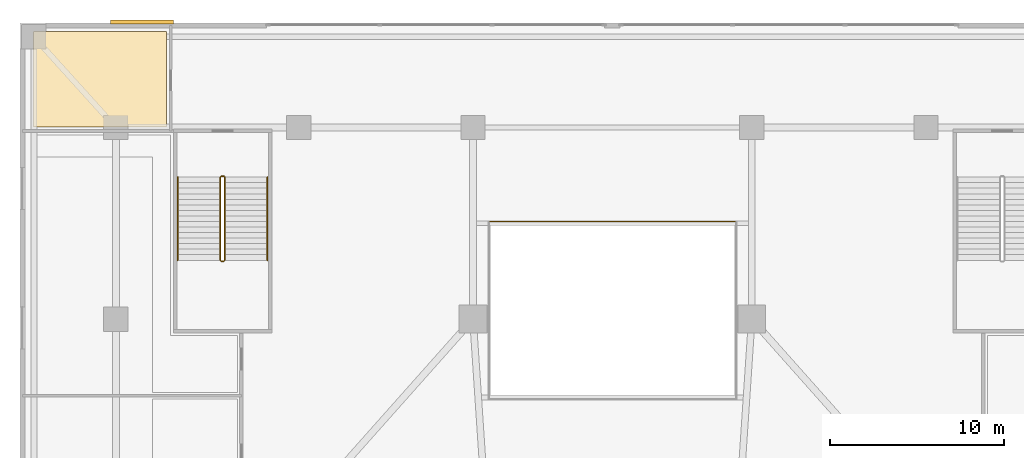
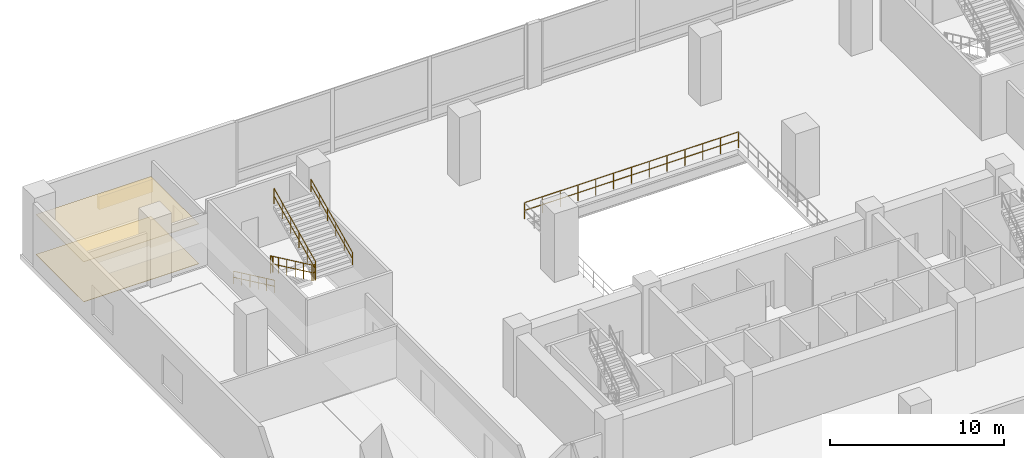
# One storey, part 13 of 15: 7 railings, 2 coverings, 1 shading device.
"""IFC4 building model written with IfcOpenShell, lengths in metres."""

from ifc_helpers import new_model, si_unit, direction, frame, origin, origin_2d, place, context, subcontext, project, spatial, polyline, rectangle, circle, outline, extrude, material, layer, layer_set, type_object, element, save


model = new_model("IFC4")

# Units and contexts
model_context = context("Model", 3, precision=1e-05, world=origin(), true_north=direction((0.0, 1.0)))
body_context = subcontext(model_context, "Body", "Model", "MODEL_VIEW")
ifc_project = project(units=[si_unit("LENGTHUNIT", "METRE"), si_unit("AREAUNIT", "SQUARE_METRE"), si_unit("VOLUMEUNIT", "CUBIC_METRE"), si_unit("PLANEANGLEUNIT", "RADIAN"), si_unit("MASSUNIT", "GRAM", prefix="KILO")], contexts=[model_context])

# Site, building, storey
site_placement = place(None, origin())
site = spatial("IfcSite", under=ifc_project, at=site_placement, CompositionType="ELEMENT")
building_placement = place(site_placement, origin())
building = spatial("IfcBuilding", under=site, at=building_placement, Name="Solmavex Isthmus Hotel", CompositionType="ELEMENT")
storey_placement = place(building_placement, frame((0.0, 0.0, 11.39990234375)))
storey = spatial("IfcBuildingStorey", under=building, at=storey_placement, Name="L03", CompositionType="ELEMENT", Elevation=11.39990234375)

# Coverings
ifc_material_1 = material(Name="Gypsum plasterboard lining", Category="gypsum")
ifc_layer_1 = layer(ifc_material_1, 0.030029296875)
ifc_layer_set_1 = layer_set([ifc_layer_1], Name="Gypsum plasterboard lining")
covering_type_1 = type_object("IfcCoveringType", Name="COV-CEIL-GYP", PredefinedType="CEILING", material=ifc_layer_set_1)
covering_1_placement = place(storey_placement, frame((0.0, 0.0, 2.800048828125)))
element("IfcCovering", 1, at=covering_1_placement, inside=storey, type_object=covering_type_1, Name="Suspended Acoustic Ceiling L03-NWR", PredefinedType="CEILING", context=body_context, shape_type="SweptSolid", body=[
    extrude(outline(polyline([(-25.580078125, 17.530029296875), (-25.580078125, 23.02001953125), (-33.219970703125, 23.02001953125), (-33.219970703125, 17.530029296875), (-25.580078125, 17.530029296875)])), origin(), (0.0, 0.0, 1.0), 0.030029296875),
])
ifc_material_2 = material(Name="Travertine natural stone", Category="masonry")
ifc_layer_2 = layer(ifc_material_2, 0.02490234375)
ifc_layer_set_2 = layer_set([ifc_layer_2], Name="Travertine natural stone")
covering_type_2 = type_object("IfcCoveringType", Name="COV-FLOR-STN", PredefinedType="FLOORING", material=ifc_layer_set_2)
covering_2_placement = place(storey_placement, origin())
element("IfcCovering", 2, at=covering_2_placement, inside=storey, type_object=covering_type_2, Name="Stone and Timber Floor Finish L03-NWR", PredefinedType="FLOORING", context=body_context, shape_type="SweptSolid", body=[
    extrude(outline(polyline([(-25.580078125, 17.530029296875), (-25.580078125, 23.02001953125), (-33.219970703125, 23.02001953125), (-33.219970703125, 17.530029296875), (-25.580078125, 17.530029296875)])), origin(), (0.0, 0.0, 1.0), 0.025146484375),
])

# Railings
ifc_material_3 = material(Name="Clear low-E laminated glass", Category="glass")
ifc_layer_3 = layer(ifc_material_3, 0.080078125)
ifc_layer_set_3 = layer_set([ifc_layer_3], Name="Clear low-E laminated glass")
railing_type_1 = type_object("IfcRailingType", Name="RAIL-ATRIUM-1120", PredefinedType="BALUSTRADE", material=ifc_layer_set_3)
railing_1_placement = place(storey_placement, frame((7.10009765625, 12.10009765625, 0.0)))
element("IfcRailing", 3, at=railing_1_placement, inside=storey, type_object=railing_type_1, Name="Guardrail Balustrade L03-ATRIUM-03", PredefinedType="BALUSTRADE", context=body_context, shape_type="SweptSolid", body=[
    extrude(circle(Radius=0.02392578125, at=origin_2d()), frame((0.0, 0.0, 1.1259765625), z_axis=(-1.0, 0.0, 0.0), x_axis=(0.0, -1.0, 0.0)), (0.0, 0.0, 1.0), 14.2001953125),
    extrude(circle(Radius=0.02392578125, at=origin_2d()), frame((0.0, 0.0, 0.574951171875), z_axis=(-1.0, 0.0, 0.0), x_axis=(0.0, -1.0, 0.0)), (0.0, 0.0, 1.0), 14.2001953125),
    extrude(circle(Radius=0.02099609375, at=origin_2d()), origin(), (0.0, 0.0, 1.0), 1.101806640625),
    extrude(circle(Radius=0.02099609375, at=origin_2d()), frame((-1.183349609375, 0.0, 0.0)), (0.0, 0.0, 1.0), 1.101806640625),
    extrude(circle(Radius=0.02099609375, at=origin_2d()), frame((-2.36669921875, 0.0, 0.0)), (0.0, 0.0, 1.0), 1.101806640625),
    extrude(circle(Radius=0.02099609375, at=origin_2d()), frame((-3.550048828125, 0.0, 0.0)), (0.0, 0.0, 1.0), 1.101806640625),
    extrude(circle(Radius=0.02099609375, at=origin_2d()), frame((-4.7333984375, 0.0, 0.0)), (0.0, 0.0, 1.0), 1.101806640625),
    extrude(circle(Radius=0.02099609375, at=origin_2d()), frame((-5.916748046875, 0.0, 0.0)), (0.0, 0.0, 1.0), 1.101806640625),
    extrude(circle(Radius=0.02099609375, at=origin_2d()), frame((-7.10009765625, 0.0, 0.0)), (0.0, 0.0, 1.0), 1.101806640625),
    extrude(circle(Radius=0.02099609375, at=origin_2d()), frame((-8.283447265625, 0.0, 0.0)), (0.0, 0.0, 1.0), 1.101806640625),
    extrude(circle(Radius=0.02099609375, at=origin_2d()), frame((-9.466796875, 0.0, 0.0)), (0.0, 0.0, 1.0), 1.101806640625),
    extrude(circle(Radius=0.02099609375, at=origin_2d()), frame((-10.650146484375, 0.0, 0.0)), (0.0, 0.0, 1.0), 1.101806640625),
    extrude(circle(Radius=0.02099609375, at=origin_2d()), frame((-11.83349609375, 0.0, 0.0)), (0.0, 0.0, 1.0), 1.101806640625),
    extrude(circle(Radius=0.02099609375, at=origin_2d()), frame((-13.016845703125, 0.0, 0.0)), (0.0, 0.0, 1.0), 1.101806640625),
    extrude(circle(Radius=0.02099609375, at=origin_2d()), frame((-14.2001953125, 0.0, 0.0)), (0.0, 0.0, 1.0), 1.101806640625),
])
ifc_material_4 = material(Name="Stainless steel 316", Category="steel")
ifc_layer_4 = layer(ifc_material_4, 0.06005859375)
ifc_layer_set_4 = layer_set([ifc_layer_4], Name="Stainless steel 316")
railing_type_2 = type_object("IfcRailingType", Name="RAIL-STAIR-GD", PredefinedType="GUARDRAIL", material=ifc_layer_set_4)
railing_2_placement = place(storey_placement, frame((-22.5, 14.64990234375, 0.150146484375)))
element("IfcRailing", 4, at=railing_2_placement, inside=storey, type_object=railing_type_2, Name="L03 ST-4 stair guard 1", PredefinedType="GUARDRAIL", context=body_context, shape_type="SweptSolid", body=[
    extrude(circle(Radius=0.02392578125, at=origin_2d()), frame((0.0, 0.0, 1.09619140625), z_axis=(0.0, -0.904432266519, 0.426617246813), x_axis=(1.0, 0.0, 0.0)), (0.0, 0.0, 1.0), 5.274169921875),
    extrude(circle(Radius=0.02392578125, at=origin_2d()), frame((0.0, 0.0, 0.56005859375), z_axis=(0.0, -0.904432266519, 0.426617246813), x_axis=(1.0, 0.0, 0.0)), (0.0, 0.0, 1.0), 5.274169921875),
    extrude(circle(Radius=0.02099609375, at=origin_2d()), origin(), (0.0, 0.0, 1.0), 1.072021484375),
    extrude(circle(Radius=0.02099609375, at=origin_2d()), frame((0.0, -0.9541015625, 0.449951171875)), (0.0, 0.0, 1.0), 1.072021484375),
    extrude(circle(Radius=0.02099609375, at=origin_2d()), frame((0.0, -1.907958984375, 0.89990234375)), (0.0, 0.0, 1.0), 1.072021484375),
    extrude(circle(Radius=0.02099609375, at=origin_2d()), frame((0.0, -2.862060546875, 1.35009765625)), (0.0, 0.0, 1.0), 1.072021484375),
    extrude(circle(Radius=0.02099609375, at=origin_2d()), frame((0.0, -3.81591796875, 1.800048828125)), (0.0, 0.0, 1.0), 1.072021484375),
    extrude(circle(Radius=0.02099609375, at=origin_2d()), frame((0.0, -4.77001953125, 2.25)), (0.0, 0.0, 1.0), 1.072021484375),
])
railing_3_placement = place(storey_placement, frame((-22.449951171875, 9.830078125, 2.400146484375)))
element("IfcRailing", 5, at=railing_3_placement, inside=storey, type_object=railing_type_2, Name="L03 ST-4 stair guard 2", PredefinedType="GUARDRAIL", context=body_context, shape_type="SweptSolid", body=[
    extrude(circle(Radius=0.02392578125, at=origin_2d()), frame((0.0, 0.0, 1.09619140625), z_axis=(1.0, 0.0, 0.0), x_axis=(0.0, 1.0, 0.0)), (0.0, 0.0, 1.0), 0.14990234375),
    extrude(circle(Radius=0.02392578125, at=origin_2d()), frame((0.0, 0.0, 0.56005859375), z_axis=(1.0, 0.0, 0.0), x_axis=(0.0, 1.0, 0.0)), (0.0, 0.0, 1.0), 0.14990234375),
    extrude(circle(Radius=0.02099609375, at=origin_2d()), origin(), (0.0, 0.0, 1.0), 1.072021484375),
    extrude(circle(Radius=0.02099609375, at=origin_2d()), frame((0.14990234375, 0.0, 0.0)), (0.0, 0.0, 1.0), 1.072021484375),
])
railing_4_placement = place(storey_placement, frame((-22.25, 9.8798828125, 2.550048828125)))
element("IfcRailing", 6, at=railing_4_placement, inside=storey, type_object=railing_type_2, Name="L03 ST-4 stair guard 3", PredefinedType="GUARDRAIL", context=body_context, shape_type="SweptSolid", body=[
    extrude(circle(Radius=0.02392578125, at=origin_2d()), frame((0.0, 0.0, 1.09619140625), z_axis=(0.0, 0.904432266519, 0.426617246813), x_axis=(-1.0, 0.0, 0.0)), (0.0, 0.0, 1.0), 5.274169921875),
    extrude(circle(Radius=0.02392578125, at=origin_2d()), frame((0.0, 0.0, 0.56005859375), z_axis=(0.0, 0.904432266519, 0.426617246813), x_axis=(-1.0, 0.0, 0.0)), (0.0, 0.0, 1.0), 5.274169921875),
    extrude(circle(Radius=0.02099609375, at=origin_2d()), origin(), (0.0, 0.0, 1.0), 1.072021484375),
    extrude(circle(Radius=0.02099609375, at=origin_2d()), frame((0.0, 0.9541015625, 0.449951171875)), (0.0, 0.0, 1.0), 1.072021484375),
    extrude(circle(Radius=0.02099609375, at=origin_2d()), frame((0.0, 1.907958984375, 0.89990234375)), (0.0, 0.0, 1.0), 1.072021484375),
    extrude(circle(Radius=0.02099609375, at=origin_2d()), frame((0.0, 2.862060546875, 1.35009765625)), (0.0, 0.0, 1.0), 1.072021484375),
    extrude(circle(Radius=0.02099609375, at=origin_2d()), frame((0.0, 3.81591796875, 1.800048828125)), (0.0, 0.0, 1.0), 1.072021484375),
    extrude(circle(Radius=0.02099609375, at=origin_2d()), frame((0.0, 4.77001953125, 2.25)), (0.0, 0.0, 1.0), 1.072021484375),
])
railing_5_placement = place(storey_placement, frame((-22.449951171875, 14.699951171875, 0.0)))
element("IfcRailing", 7, at=railing_5_placement, inside=storey, type_object=railing_type_2, Name="L03 ST-4 stair guard 4", PredefinedType="GUARDRAIL", context=body_context, shape_type="SweptSolid", body=[
    extrude(circle(Radius=0.02392578125, at=origin_2d()), frame((0.0, 0.0, 1.09619140625), z_axis=(1.0, 0.0, 0.0), x_axis=(0.0, 1.0, 0.0)), (0.0, 0.0, 1.0), 0.14990234375),
    extrude(circle(Radius=0.02392578125, at=origin_2d()), frame((0.0, 0.0, 0.56005859375), z_axis=(1.0, 0.0, 0.0), x_axis=(0.0, 1.0, 0.0)), (0.0, 0.0, 1.0), 0.14990234375),
    extrude(circle(Radius=0.02099609375, at=origin_2d()), origin(), (0.0, 0.0, 1.0), 1.072021484375),
    extrude(circle(Radius=0.02099609375, at=origin_2d()), frame((0.14990234375, 0.0, 0.0)), (0.0, 0.0, 1.0), 1.072021484375),
])
ifc_layer_5 = layer(ifc_material_4, 0.050048828125)
ifc_layer_set_5 = layer_set([ifc_layer_5], Name="Stainless steel 316")
railing_type_3 = type_object("IfcRailingType", Name="RAIL-STAIR-HR", PredefinedType="HANDRAIL", material=ifc_layer_set_5)
railing_6_placement = place(storey_placement, frame((-24.949951171875, 14.64990234375, 0.150146484375)))
element("IfcRailing", 8, at=railing_6_placement, inside=storey, type_object=railing_type_3, Name="L03 ST-4 stair handrail 1", PredefinedType="HANDRAIL", context=body_context, shape_type="SweptSolid", body=[
    extrude(circle(Radius=0.02392578125, at=origin_2d()), frame((0.0, 0.0, 0.8759765625), z_axis=(0.0, -0.904432266519, 0.426617246813), x_axis=(1.0, 0.0, 0.0)), (0.0, 0.0, 1.0), 5.274169921875),
    extrude(circle(Radius=0.02392578125, at=origin_2d()), frame((0.0, 0.0, 0.449951171875), z_axis=(0.0, -0.904432266519, 0.426617246813), x_axis=(1.0, 0.0, 0.0)), (0.0, 0.0, 1.0), 5.274169921875),
    extrude(circle(Radius=0.02099609375, at=origin_2d()), origin(), (0.0, 0.0, 1.0), 0.851806640625),
    extrude(circle(Radius=0.02099609375, at=origin_2d()), frame((0.0, -0.9541015625, 0.449951171875)), (0.0, 0.0, 1.0), 0.851806640625),
    extrude(circle(Radius=0.02099609375, at=origin_2d()), frame((0.0, -1.907958984375, 0.89990234375)), (0.0, 0.0, 1.0), 0.851806640625),
    extrude(circle(Radius=0.02099609375, at=origin_2d()), frame((0.0, -2.862060546875, 1.35009765625)), (0.0, 0.0, 1.0), 0.851806640625),
    extrude(circle(Radius=0.02099609375, at=origin_2d()), frame((0.0, -3.81591796875, 1.800048828125)), (0.0, 0.0, 1.0), 0.851806640625),
    extrude(circle(Radius=0.02099609375, at=origin_2d()), frame((0.0, -4.77001953125, 2.25)), (0.0, 0.0, 1.0), 0.851806640625),
])
railing_7_placement = place(storey_placement, frame((-19.800048828125, 9.8798828125, 2.550048828125)))
element("IfcRailing", 9, at=railing_7_placement, inside=storey, type_object=railing_type_3, Name="L03 ST-4 stair handrail 2", PredefinedType="HANDRAIL", context=body_context, shape_type="SweptSolid", body=[
    extrude(circle(Radius=0.02392578125, at=origin_2d()), frame((0.0, 0.0, 0.8759765625), z_axis=(0.0, 0.904432266519, 0.426617246813), x_axis=(-1.0, 0.0, 0.0)), (0.0, 0.0, 1.0), 5.274169921875),
    extrude(circle(Radius=0.02392578125, at=origin_2d()), frame((0.0, 0.0, 0.449951171875), z_axis=(0.0, 0.904432266519, 0.426617246813), x_axis=(-1.0, 0.0, 0.0)), (0.0, 0.0, 1.0), 5.274169921875),
    extrude(circle(Radius=0.02099609375, at=origin_2d()), origin(), (0.0, 0.0, 1.0), 0.851806640625),
    extrude(circle(Radius=0.02099609375, at=origin_2d()), frame((0.0, 0.9541015625, 0.449951171875)), (0.0, 0.0, 1.0), 0.851806640625),
    extrude(circle(Radius=0.02099609375, at=origin_2d()), frame((0.0, 1.907958984375, 0.89990234375)), (0.0, 0.0, 1.0), 0.851806640625),
    extrude(circle(Radius=0.02099609375, at=origin_2d()), frame((0.0, 2.862060546875, 1.35009765625)), (0.0, 0.0, 1.0), 0.851806640625),
    extrude(circle(Radius=0.02099609375, at=origin_2d()), frame((0.0, 3.81591796875, 1.800048828125)), (0.0, 0.0, 1.0), 0.851806640625),
    extrude(circle(Radius=0.02099609375, at=origin_2d()), frame((0.0, 4.77001953125, 2.25)), (0.0, 0.0, 1.0), 0.851806640625),
])

# Shading device
ifc_material_5 = material(Name="Aluminium alloy 6063-T6", Category="aluminium")
shading_device_type = type_object("IfcShadingDeviceType", Name="SHD-LOUVRE-BOX", PredefinedType="JALOUSIE", material=ifc_material_5)
shading_device_placement = place(storey_placement, frame((-27.0, 23.550048828125, 1.35009765625), z_axis=(0.0, 0.0, 1.0), x_axis=(1.0, 0.0, 0.0)))
element("IfcShadingDevice", 10, at=shading_device_placement, inside=storey, type_object=shading_device_type, Name="Bronze Anodised Arrival Louvre Screen L03-1", PredefinedType="JALOUSIE", context=body_context, shape_type="SweptSolid", body=[
    extrude(rectangle(XDim=3.60009765625, YDim=0.239990234375, at=origin_2d()), origin(), (0.0, 0.0, 1.0), 0.89990234375),
])

save(model, "model.ifc")
